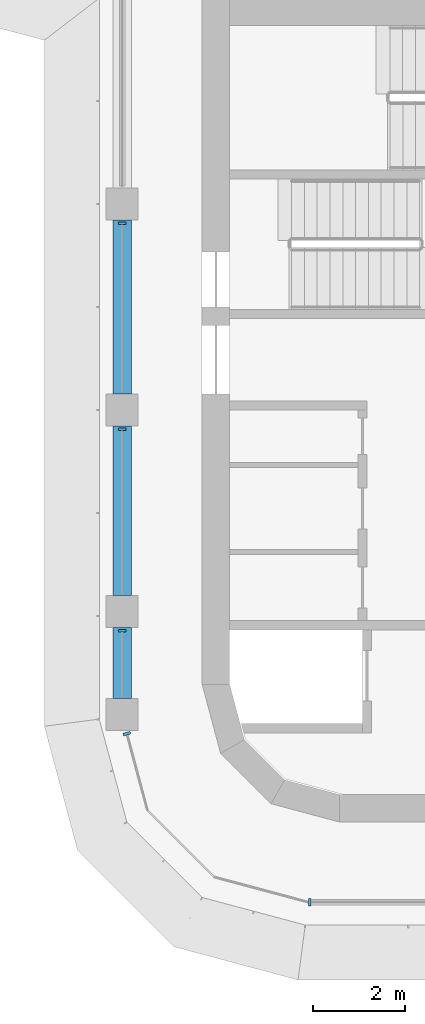
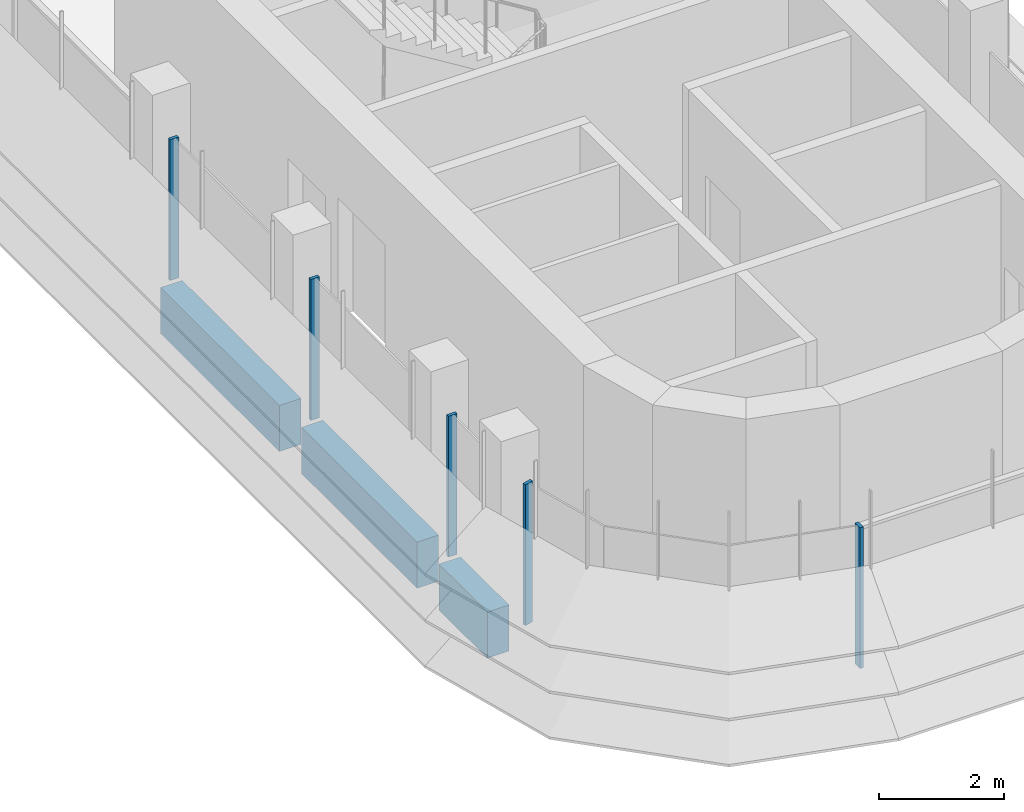
# One storey, part 2 of 19: 5 members, 3 beams, 3 elements without a shape of their own.
"""IFC4 building model written with IfcOpenShell, lengths in metres."""

from ifc_helpers import new_model, si_unit, direction, frame, origin, origin_2d, place, context, subcontext, project, spatial, polyline, rectangle, outline, extrude, source, transform, mapped, material, material_profile, profile_set, type_object, element, aggregate, save


model = new_model("IFC4")

# Units and contexts
model_context = context("Model", 3, precision=1e-05, world=origin(), true_north=direction((0.0, 1.0)))
body_context = subcontext(model_context, "Body", "Model", "MODEL_VIEW")
ifc_project = project(units=[si_unit("LENGTHUNIT", "METRE"), si_unit("AREAUNIT", "SQUARE_METRE"), si_unit("VOLUMEUNIT", "CUBIC_METRE"), si_unit("PLANEANGLEUNIT", "RADIAN"), si_unit("MASSUNIT", "GRAM", prefix="KILO")], contexts=[model_context])

# Site, building, storey
site_placement = place(None, origin())
site = spatial("IfcSite", under=ifc_project, at=site_placement, CompositionType="ELEMENT")
building_placement = place(site_placement, origin())
building = spatial("IfcBuilding", under=site, at=building_placement, Name="Zarbagh Exchange Tower", CompositionType="ELEMENT")
storey_placement = place(building_placement, frame((0.0, 0.0, 203.0)))
storey = spatial("IfcBuildingStorey", under=building, at=storey_placement, Name="L49", CompositionType="ELEMENT", Elevation=203.0)

# Beams
ifc_material_1 = material(Name="Concrete C50/60", Category="concrete")
ifc_material_profile = material_profile(ifc_material_1, rectangle(XDim=0.39990234375, YDim=0.89990234375, at=origin_2d()), Name="RC spandrel beam 400 x 900 C50/60")
ifc_profile_set = profile_set([ifc_material_profile], Name="Concrete C50/60")
beam_type = type_object("IfcBeamType", Name="RC spandrel beam 400 x 900 C50/60", PredefinedType="SPANDREL", material=ifc_profile_set)
beam_1_placement = place(storey_placement, frame((-6.25, -26.550048828125, -0.60009765625), z_axis=(0.0, 1.0, 0.0), x_axis=(-1.0, 0.0, 0.0)))
element("IfcBeam", 1, at=beam_1_placement, inside=storey, type_object=beam_type, Name="RC spandrel beam", PredefinedType="SPANDREL", context=body_context, shape_type="SweptSolid", body=[
    extrude(rectangle(XDim=0.39990234375, YDim=0.89990234375, at=origin_2d()), origin(), (0.0, 0.0, 1.0), 1.550048828125),
])
beam_2_placement = place(storey_placement, frame((-6.25, -24.300048828125, -0.60009765625), z_axis=(0.0, 1.0, 0.0), x_axis=(-1.0, 0.0, 0.0)))
element("IfcBeam", 2, at=beam_2_placement, inside=storey, type_object=beam_type, Name="RC spandrel beam", PredefinedType="SPANDREL", context=body_context, shape_type="SweptSolid", body=[
    extrude(rectangle(XDim=0.39990234375, YDim=0.89990234375, at=origin_2d()), origin(), (0.0, 0.0, 1.0), 3.699951171875),
])
beam_3_placement = place(storey_placement, frame((-6.25, -19.89990234375, -0.60009765625), z_axis=(0.0, 1.0, 0.0), x_axis=(-1.0, 0.0, 0.0)))
element("IfcBeam", 3, at=beam_3_placement, inside=storey, type_object=beam_type, Name="RC spandrel beam", PredefinedType="SPANDREL", context=body_context, shape_type="SweptSolid", body=[
    extrude(rectangle(XDim=0.39990234375, YDim=0.89990234375, at=origin_2d()), origin(), (0.0, 0.0, 1.0), 3.7998046875),
])

# Curtain wall, members
ifc_material_2 = material(Name="Anodised aluminium frame and glazing", Category="aluminium")
curtain_wall_type = type_object("IfcCurtainWallType", Name="CWB Ribbon glazing, upper zones", PredefinedType="NOTDEFINED", material=ifc_material_2)
curtain_wall_1_placement = place(storey_placement, origin())
curtain_wall_1 = element("IfcCurtainWall", 4, at=curtain_wall_1_placement, inside=storey, type_object=curtain_wall_type, Name="CWB53 curtain wall", PredefinedType="NOTDEFINED")
ifc_material_3 = material(Name="Anodised aluminium frame", Category="aluminium")
member_type = type_object("IfcMemberType", Name="MUB Mullion, anodised aluminium frame", PredefinedType="MULLION", material=ifc_material_3)
shared_shape = source(origin(), body_context, "Body", "SweptSolid", [
    extrude(outline(polyline([(0.0, -0.080078125), (0.06005859375, -0.080078125), (0.06005859375, 0.080078125), (0.0, 0.080078125), (0.0, -0.080078125)])), origin(), (0.0, 0.0, 1.0), 2.75),
])
placement = place(storey_placement, origin())
member_1 = element("IfcMember", 5, at=placement, type_object=member_type, Name="CWB53 mullion 2.1", PredefinedType="MULLION", context=body_context, shape_type="MappedRepresentation", body=[
    mapped(shared_shape, transform((-6.25, -16.14013671875, 0.0), x_axis=(0.0, -1.0, 0.0), y_axis=(1.0, 0.0, 0.0), z_axis=(0.0, 0.0, 1.0))),
])
member_2 = element("IfcMember", 6, at=placement, type_object=member_type, Name="CWB53 mullion 3.1", PredefinedType="MULLION", context=body_context, shape_type="MappedRepresentation", body=[
    mapped(shared_shape, transform((-6.25, -20.64013671875, 0.0), x_axis=(0.0, -1.0, 0.0), y_axis=(1.0, 0.0, 0.0), z_axis=(0.0, 0.0, 1.0))),
])
member_3 = element("IfcMember", 7, at=placement, type_object=member_type, Name="CWB53 mullion 4.1", PredefinedType="MULLION", context=body_context, shape_type="MappedRepresentation", body=[
    mapped(shared_shape, transform((-6.25, -25.0400390625, 0.0), x_axis=(0.0, -1.0, 0.0), y_axis=(1.0, 0.0, 0.0), z_axis=(0.0, 0.0, 1.0))),
])
aggregate(curtain_wall_1, [member_1, member_2, member_3])

# Curtain wall, member
curtain_wall_2_placement = place(storey_placement, origin())
curtain_wall_2 = element("IfcCurtainWall", 8, at=curtain_wall_2_placement, inside=storey, type_object=curtain_wall_type, Name="CWB54 curtain wall", PredefinedType="NOTDEFINED")
member_4 = element("IfcMember", 9, at=placement, type_object=member_type, Name="CWB54 mullion 1.1", PredefinedType="MULLION", context=body_context, shape_type="MappedRepresentation", body=[
    mapped(shared_shape, transform((-6.154541015625, -27.2900390625, 0.0), x_axis=(0.258824779902, -0.965924289636, 0.0), y_axis=(0.965924289636, 0.258824779902, 0.0), z_axis=(0.0, 0.0, 1.0))),
])
aggregate(curtain_wall_2, [member_4])

curtain_wall_3_placement = place(storey_placement, origin())
curtain_wall_3 = element("IfcCurtainWall", 10, at=curtain_wall_3_placement, inside=storey, type_object=curtain_wall_type, Name="CWB57 curtain wall", PredefinedType="NOTDEFINED")
member_5 = element("IfcMember", 11, at=placement, type_object=member_type, Name="CWB57 mullion 1.1", PredefinedType="MULLION", context=body_context, shape_type="MappedRepresentation", body=[
    mapped(shared_shape, transform((-2.18408203125, -31.0, 0.0), x_axis=(1.0, 0.0, 0.0), y_axis=(0.0, 1.0, 0.0), z_axis=(0.0, 0.0, 1.0))),
])
aggregate(curtain_wall_3, [member_5])

save(model, "model.ifc")
